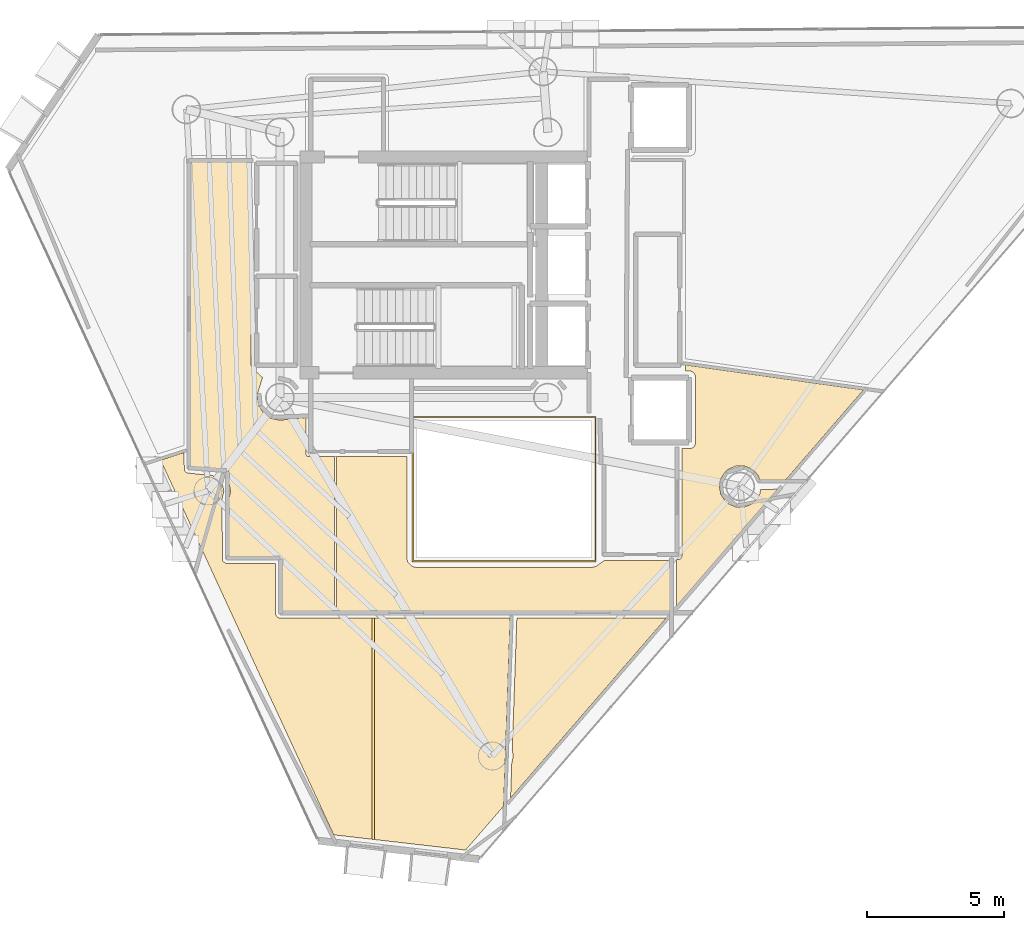
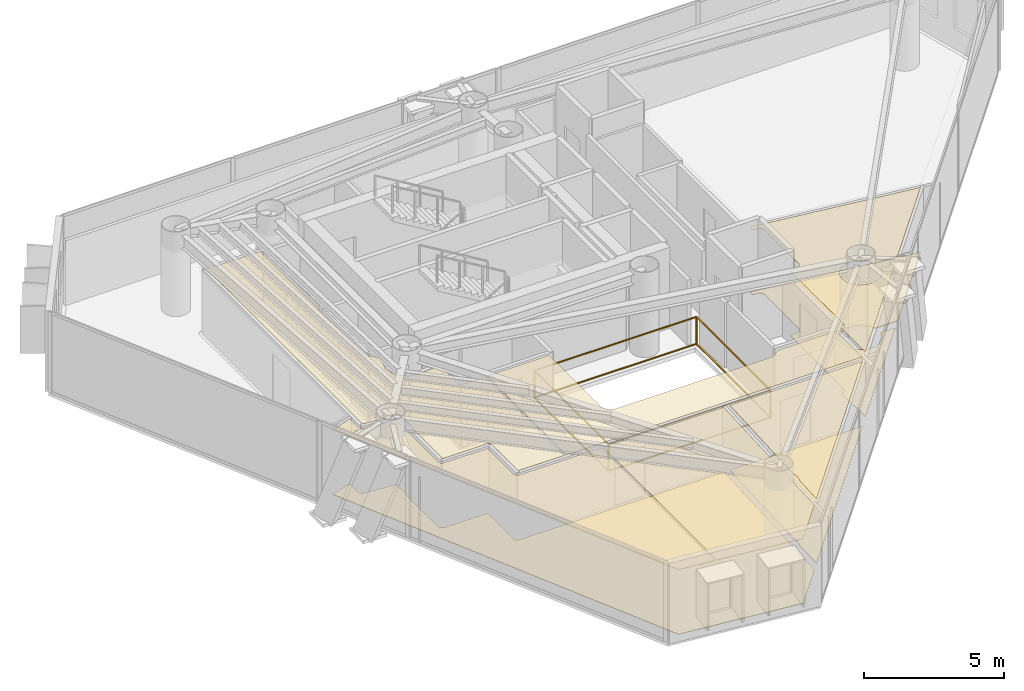
# One storey, part 18 of 21: 9 coverings, 1 railing.
"""IFC4 building model written with IfcOpenShell, lengths in metres."""

import ifcopenshell
import ifcopenshell.guid

model = None  # the IFC model being written
_history = None  # IfcOwnerHistory: only IFC2X3 demands one
_inside = {}  # id of a spatial element -> (the spatial element, [elements in it])
_under = {}  # id of a project, library or spatial element -> (it, [spatial elements below it])
_declared = {}  # id of a project -> (the project, [libraries it declares])
_typed = {}  # id of a type object -> (the type object, [elements of that type])
_made_of = {}  # id of a material, layer set ... -> (it, [elements and type objects made of it])


def new_model(schema):
    """Start an empty IFC model of exactly this schema.

    Asked for "IFC4X3", IfcOpenShell would pick the latest addendum, in which some entities
    have other attributes; the version numbers below select the first issue.
    IFC2X3 requires an IfcOwnerHistory on every rooted entity: one is made here for all.
    """
    global model, _history
    if schema == "IFC4X3":
        model = ifcopenshell.file(schema_version=(4, 3, 0, 0))
    else:
        model = ifcopenshell.file(schema=schema)
    _inside.clear()
    _under.clear()
    _declared.clear()
    _typed.clear()
    _made_of.clear()
    _history = None
    if model.schema == "IFC2X3":
        org = make("IfcOrganization", Name="unknown")
        user = make(
            "IfcPersonAndOrganization",
            ThePerson=make("IfcPerson", FamilyName="unknown"),
            TheOrganization=org,
        )
        app = make(
            "IfcApplication",
            ApplicationDeveloper=org,
            Version="unknown",
            ApplicationFullName="unknown",
            ApplicationIdentifier="unknown",
        )
        _history = make(
            "IfcOwnerHistory",
            OwningUser=user,
            OwningApplication=app,
            ChangeAction="ADDED",
            CreationDate=0,
        )
    return model


def make(cls, **values):
    """One entity of the class cls with the attributes given. An attribute that is None is left unset."""
    return model.create_entity(
        cls, **{name: value for name, value in values.items() if value is not None}
    )


def rooted(cls, **values):
    """An entity with a GlobalId (a new one), such as an element, a storey or a relation."""
    return make(cls, GlobalId=ifcopenshell.guid.new(), OwnerHistory=_history, **values)


def si_unit(unit_type, name, prefix=None):
    """IfcSIUnit, for example si_unit("LENGTHUNIT", "METRE", prefix="MILLI")."""
    return make("IfcSIUnit", UnitType=unit_type, Prefix=prefix, Name=name)


def assignment(units):
    """IfcUnitAssignment: the units of a project."""
    return None if units is None else make("IfcUnitAssignment", Units=units)


def point(xyz):
    """IfcCartesianPoint."""
    return None if xyz is None else make("IfcCartesianPoint", Coordinates=xyz)


def direction(xyz):
    """IfcDirection."""
    return None if xyz is None else make("IfcDirection", DirectionRatios=xyz)


def frame(location, z_axis=None, x_axis=None):
    """IfcAxis2Placement3D, a coordinate frame: its origin and axes. An axis left out is left unset."""
    return make(
        "IfcAxis2Placement3D",
        Location=point(location),
        Axis=direction(z_axis),
        RefDirection=direction(x_axis),
    )


def frame_2d(location, x_axis=None):
    """IfcAxis2Placement2D, a coordinate frame in the plane: its origin and x axis."""
    return make(
        "IfcAxis2Placement2D", Location=point(location), RefDirection=direction(x_axis)
    )


def origin():
    """The frame at (0, 0, 0) with its axes left unset."""
    return frame((0.0, 0.0, 0.0))


def origin_2d():
    """The frame at (0, 0) in the plane with its x axis left unset."""
    return frame_2d((0.0, 0.0))


def place(relative_to, where):
    """IfcLocalPlacement: puts the frame where relative to a parent placement (None: the world)."""
    return make(
        "IfcLocalPlacement", PlacementRelTo=relative_to, RelativePlacement=where
    )


def context(
    kind, dimensions, precision=None, world=None, true_north=None, identifier=None
):
    """IfcGeometricRepresentationContext, for example the 3D "Model" context."""
    return make(
        "IfcGeometricRepresentationContext",
        ContextIdentifier=identifier,
        ContextType=kind,
        CoordinateSpaceDimension=dimensions,
        Precision=precision,
        WorldCoordinateSystem=world,
        TrueNorth=true_north,
    )


def subcontext(parent, identifier, kind, view, scale=None):
    """IfcGeometricRepresentationSubContext, for example "Body" below "Model"."""
    return make(
        "IfcGeometricRepresentationSubContext",
        ContextIdentifier=identifier,
        ContextType=kind,
        ParentContext=parent,
        TargetScale=scale,
        TargetView=view,
    )


def project(units=None, contexts=None):
    """IfcProject with its units and contexts."""
    return rooted(
        "IfcProject",
        Name="project",
        RepresentationContexts=contexts,
        UnitsInContext=assignment(units),
    )


def spatial(cls, under=None, at=None, **own):
    """A site, building, storey or space (cls), placed at a placement, below another one or the project."""
    s = rooted(cls, ObjectPlacement=at, **own)
    if under is not None:
        _under.setdefault(under.id(), (under, []))[1].append(s)
    return s


def polyline(points):
    """IfcPolyline through the points."""
    return make("IfcPolyline", Points=[point(p) for p in points])


def profile(cls, at=None, kind="AREA", **sizes):
    """A parametric profile (cls). Its sizes go by their IFC names, for example OverallWidth=200.0."""
    return make(cls, ProfileType=kind, Position=at, **sizes)


def rectangle(**sizes):
    """IfcRectangleProfileDef."""
    return profile("IfcRectangleProfileDef", **sizes)


def outline(outer, holes=None, kind="AREA"):
    """IfcArbitraryClosedProfileDef: a profile drawn as a closed curve; with holes, ...WithVoids."""
    if holes is None:
        return make("IfcArbitraryClosedProfileDef", ProfileType=kind, OuterCurve=outer)
    return make(
        "IfcArbitraryProfileDefWithVoids",
        ProfileType=kind,
        OuterCurve=outer,
        InnerCurves=holes,
    )


def extrude(swept, where, along, depth):
    """IfcExtrudedAreaSolid: the profile swept, set in the frame where, extruded along a direction by depth."""
    return make(
        "IfcExtrudedAreaSolid",
        SweptArea=swept,
        Position=where,
        ExtrudedDirection=direction(along),
        Depth=depth,
    )


def shape(context_of_items, identifier, shape_type, items):
    """IfcShapeRepresentation: the items that make up one representation, for example the "Body"."""
    return make(
        "IfcShapeRepresentation",
        ContextOfItems=context_of_items,
        RepresentationIdentifier=identifier,
        RepresentationType=shape_type,
        Items=items,
    )


def material(Name=None, Category=None):
    """IfcMaterial."""
    return make("IfcMaterial", Name=Name, Category=Category)


def layer(
    of_material, thickness, ventilated=None, Name=None, Category=None, Priority=None
):
    """IfcMaterialLayer: one layer of a wall or slab, of a material (None: an air gap)."""
    return make(
        "IfcMaterialLayer",
        Material=of_material,
        LayerThickness=thickness,
        IsVentilated=ventilated,
        Name=Name,
        Category=Category,
        Priority=Priority,
    )


def layer_set(layers, Name=None):
    """IfcMaterialLayerSet."""
    return make("IfcMaterialLayerSet", MaterialLayers=layers, LayerSetName=Name)


def made_of(thing, what):
    """Note that an element or type object is made of a material, layer set ...; save() writes the relation."""
    if what is not None:
        _made_of.setdefault(what.id(), (what, []))[1].append(thing)
    return thing


def type_object(cls, material=None, **own):
    """A type object (cls), such as IfcWallType, which elements share."""
    return made_of(rooted(cls, **own), material)


def element(
    cls,
    number,
    at=None,
    inside=None,
    cuts=None,
    type_object=None,
    material=None,
    context=None,
    identifier="Body",
    shape_type=None,
    held_by="IfcProductDefinitionShape",
    body=None,
    shapes=None,
    **own,
):
    """One element of the class cls, such as IfcWall. Its Tag is "e" and its number.

    at: its placement. inside: the storey or other place that contains it. cuts: it is an
    opening in that element (IfcRelVoidsElement). A single representation is given by context,
    identifier, shape_type and body (its items); several are given by shapes. held_by: the class
    of the entity that holds the representations. save() writes the other relations.
    """
    e = rooted(cls, Tag="e%d" % number, ObjectPlacement=at, **own)
    if body is not None:
        shapes = [shape(context, identifier, shape_type, body)]
    if shapes is not None:
        e.Representation = make(held_by, Representations=shapes)
    if inside is not None:
        _inside.setdefault(inside.id(), (inside, []))[1].append(e)
    if cuts is not None:
        rooted(
            "IfcRelVoidsElement", RelatingBuildingElement=cuts, RelatedOpeningElement=e
        )
    if type_object is not None:
        _typed.setdefault(type_object.id(), (type_object, []))[1].append(e)
    return made_of(e, material)


def aggregate(whole, parts):
    """IfcRelAggregates: a whole, such as a stair, and the parts it consists of."""
    return rooted("IfcRelAggregates", RelatingObject=whole, RelatedObjects=parts)


def save(model, path):
    """Write the relations noted so far, then the file.

    IfcRelAggregates (storeys below a building ...), IfcRelContainedInSpatialStructure (elements
    in a storey), IfcRelDefinesByType, IfcRelAssociatesMaterial and IfcRelDeclares: one each for
    every whole, place, type object, material and project.
    """
    for whole, parts in _under.values():
        aggregate(whole, parts)
    for where, things in _inside.values():
        rooted(
            "IfcRelContainedInSpatialStructure",
            RelatedElements=things,
            RelatingStructure=where,
        )
    for kind, things in _typed.values():
        rooted("IfcRelDefinesByType", RelatedObjects=things, RelatingType=kind)
    for what, things in _made_of.values():
        rooted("IfcRelAssociatesMaterial", RelatedObjects=things, RelatingMaterial=what)
    for by, libraries in _declared.values():
        rooted("IfcRelDeclares", RelatingContext=by, RelatedDefinitions=libraries)
    model.write(path)


model = new_model("IFC4")

# Units and contexts
model_context = context("Model", 3, precision=1e-05, world=origin(), true_north=direction((0.0, 1.0)))
body_context = subcontext(model_context, "Body", "Model", "MODEL_VIEW")
ifc_project = project(units=[si_unit("LENGTHUNIT", "METRE"), si_unit("AREAUNIT", "SQUARE_METRE"), si_unit("VOLUMEUNIT", "CUBIC_METRE"), si_unit("PLANEANGLEUNIT", "RADIAN"), si_unit("MASSUNIT", "GRAM", prefix="KILO")], contexts=[model_context])

# Site, building, storey
site_placement = place(None, origin())
site = spatial("IfcSite", under=ifc_project, at=site_placement, CompositionType="ELEMENT")
building_placement = place(site_placement, origin())
building = spatial("IfcBuilding", under=site, at=building_placement, Name="Qianvela Tower", CompositionType="ELEMENT")
storey_placement = place(building_placement, frame((0.0, 0.0, 253.800048828125)))
storey = spatial("IfcBuildingStorey", under=building, at=storey_placement, Name="L65", CompositionType="ELEMENT", Elevation=253.800048828125)

# Coverings
ifc_material_1 = material(Name="Perforated Mineral Acoustic Ceiling Tile")
ifc_layer_1 = layer(ifc_material_1, 0.02490234375)
ifc_layer_set_1 = layer_set([ifc_layer_1], Name="Perforated Mineral Acoustic Ceiling Tile")
covering_type_1 = type_object("IfcCoveringType", Name="COV-CEIL-ACOUSTIC-25", PredefinedType="CEILING", material=ifc_layer_set_1)
covering_1_placement = place(storey_placement, frame((0.0, 0.0, 2.81494140625)))
element("IfcCovering", 1, at=covering_1_placement, inside=storey, type_object=covering_type_1, Name="L65 Acoustic Ceiling Bay 1 L65 Floor Corridor", PredefinedType="CEILING", context=body_context, shape_type="SweptSolid", body=[
    extrude(outline(polyline([(27.791015625, 24.010986328125), (27.789794921875, 24.003173828125), (27.775390625, 23.85791015625), (27.77490234375, 23.85009765625), (27.775390625, 23.84228515625), (27.776611328125, 23.83447265625), (27.833251953125, 23.54931640625), (27.835205078125, 23.541748046875), (27.837890625, 23.5341796875), (27.84130859375, 23.527099609375), (27.84521484375, 23.5205078125), (28.006591796875, 23.27880859375), (28.011474609375, 23.2724609375), (28.0166015625, 23.2666015625), (28.0224609375, 23.261474609375), (28.02880859375, 23.256591796875), (28.2705078125, 23.09521484375), (28.277099609375, 23.09130859375), (28.2841796875, 23.087890625), (28.291748046875, 23.085205078125), (28.29931640625, 23.083251953125), (28.58447265625, 23.026611328125), (28.59228515625, 23.025390625), (28.60009765625, 23.02490234375), (28.60791015625, 23.025390625), (29.55810546875, 23.118896484375), (29.55810546875, 21.780029296875), (29.558349609375, 21.772216796875), (29.5595703125, 21.764404296875), (29.561279296875, 21.7568359375), (29.564208984375, 21.74951171875), (29.5673828125, 21.7421875), (29.571533203125, 21.735595703125), (29.576171875, 21.729248046875), (29.581298828125, 21.723388671875), (29.587158203125, 21.71826171875), (29.593505859375, 21.71337890625), (29.600341796875, 21.70947265625), (29.607421875, 21.7060546875), (29.61474609375, 21.703369140625), (29.622314453125, 21.701416015625), (29.630126953125, 21.700439453125), (29.637939453125, 21.699951171875), (30.5888671875, 21.699951171875), (30.5888671875, 16.030029296875), (28.679931640625, 16.030029296875), (28.679931640625, 17.949951171875), (28.6796875, 17.957763671875), (28.678466796875, 17.965576171875), (28.676513671875, 17.97314453125), (28.673828125, 17.980712890625), (28.670654296875, 17.98779296875), (28.66650390625, 17.994384765625), (28.661865234375, 18.000732421875), (28.656494140625, 18.006591796875), (28.65087890625, 18.01171875), (28.644287109375, 18.0166015625), (28.6376953125, 18.0205078125), (28.630615234375, 18.02392578125), (28.623291015625, 18.026611328125), (28.615478515625, 18.028564453125), (28.60791015625, 18.029541015625), (28.60009765625, 18.030029296875), (26.72998046875, 18.030029296875), (26.72998046875, 20.123779296875), (26.795166015625, 20.419921875), (26.79638671875, 20.42822265625), (26.797119140625, 20.43701171875), (26.79638671875, 20.44580078125), (26.795166015625, 20.4541015625), (26.72998046875, 20.75), (26.72998046875, 21.14990234375), (26.7294921875, 21.15771484375), (26.728515625, 21.16552734375), (26.7265625, 21.173095703125), (26.723876953125, 21.1806640625), (26.720703125, 21.187744140625), (26.716552734375, 21.1943359375), (26.7119140625, 21.20068359375), (26.70654296875, 21.20654296875), (26.70068359375, 21.2119140625), (26.6943359375, 21.216552734375), (26.687744140625, 21.220703125), (26.6806640625, 21.223876953125), (26.673095703125, 21.2265625), (26.66552734375, 21.228515625), (26.65771484375, 21.2294921875), (26.64990234375, 21.22998046875), (26.18017578125, 21.22998046875), (25.330078125, 21.32470703125), (25.330078125, 32.469970703125), (27.5400390625, 32.469970703125), (27.5400390625, 25.066650390625), (27.540283203125, 25.05908203125), (27.54150390625, 25.051513671875), (27.543212890625, 25.044189453125), (27.545654296875, 25.037109375), (27.548583984375, 25.0302734375), (27.604736328125, 24.919921875), (27.6083984375, 24.91357421875), (27.612548828125, 24.90771484375), (27.6171875, 24.902099609375), (27.622314453125, 24.89697265625), (27.965087890625, 24.58642578125), (27.792724609375, 24.0185546875), (27.791015625, 24.010986328125)])), origin(), (0.0, 0.0, 1.0), 0.02490234375),
])
covering_2_placement = place(storey_placement, frame((0.0, 0.0, 2.81494140625)))
element("IfcCovering", 2, at=covering_2_placement, inside=storey, type_object=covering_type_1, Name="L65 Acoustic Ceiling Bay 2 L65 Floor Corridor", PredefinedType="CEILING", context=body_context, shape_type="SweptSolid", body=[
    extrude(outline(polyline([(33.239990234375, 21.699951171875), (33.239990234375, 18.0), (33.240478515625, 17.990234375), (33.242431640625, 17.980712890625), (33.275390625, 17.8486328125), (33.277587890625, 17.841796875), (33.2802734375, 17.8349609375), (33.283447265625, 17.82861328125), (33.287353515625, 17.822509765625), (33.29150390625, 17.81689453125), (33.29638671875, 17.811279296875), (33.411376953125, 17.696533203125), (33.41796875, 17.690673828125), (33.4248046875, 17.685791015625), (33.432373046875, 17.681396484375), (33.440185546875, 17.677978515625), (33.448486328125, 17.675537109375), (33.58056640625, 17.642333984375), (33.5869140625, 17.64111328125), (33.593505859375, 17.640380859375), (33.60009765625, 17.639892578125), (40.0, 17.639892578125), (40.006591796875, 17.640380859375), (40.012939453125, 17.64111328125), (40.019287109375, 17.642333984375), (40.1513671875, 17.675537109375), (40.15869140625, 17.677734375), (40.166015625, 17.6806640625), (40.172607421875, 17.68408203125), (40.17919921875, 17.6884765625), (40.459228515625, 17.89306640625), (42.8701171875, 17.89990234375), (42.8701171875, 16.030029296875), (30.6689453125, 16.030029296875), (30.6689453125, 21.699951171875), (33.239990234375, 21.699951171875)])), origin(), (0.0, 0.0, 1.0), 0.02490234375),
])
covering_3_placement = place(storey_placement, frame((0.0, 0.0, 2.81494140625)))
element("IfcCovering", 3, at=covering_3_placement, inside=storey, type_object=covering_type_1, Name="L65 Acoustic Ceiling Bay 1 Campus Convenience Shop L65-01", PredefinedType="CEILING", context=body_context, shape_type="SweptSolid", body=[
    extrude(outline(polyline([(25.1083984375, 21.193115234375), (25.109619140625, 21.185791015625), (25.11181640625, 21.178466796875), (25.1142578125, 21.171142578125), (25.11767578125, 21.164306640625), (25.12158203125, 21.157958984375), (25.126220703125, 21.15185546875), (25.13134765625, 21.146240234375), (25.136962890625, 21.14111328125), (25.14306640625, 21.136474609375), (25.1494140625, 21.132568359375), (25.202880859375, 21.103515625), (25.209716796875, 21.10009765625), (25.217041015625, 21.097412109375), (25.224609375, 21.09521484375), (25.232421875, 21.093994140625), (26.157958984375, 20.990966796875), (26.166748046875, 20.990478515625), (26.489990234375, 20.989990234375), (26.490478515625, 20.732666015625), (26.490966796875, 20.72412109375), (26.4921875, 20.715576171875), (26.55322265625, 20.436767578125), (26.49169921875, 20.1494140625), (26.490478515625, 20.14111328125), (26.489990234375, 20.13232421875), (26.49609375, 17.919189453125), (26.49658203125, 17.911376953125), (26.497802734375, 17.903564453125), (26.49951171875, 17.89599609375), (26.502197265625, 17.888671875), (26.505615234375, 17.881591796875), (26.509521484375, 17.875), (26.514404296875, 17.86865234375), (26.51953125, 17.86279296875), (26.525390625, 17.857421875), (26.531494140625, 17.852783203125), (26.605712890625, 17.803466796875), (26.6123046875, 17.79931640625), (26.619384765625, 17.796142578125), (26.626708984375, 17.79345703125), (26.634521484375, 17.79150390625), (26.64208984375, 17.790283203125), (26.64990234375, 17.7900390625), (28.43994140625, 17.7900390625), (28.43994140625, 15.949951171875), (28.4404296875, 15.942138671875), (28.44140625, 15.934326171875), (28.443359375, 15.9267578125), (28.446044921875, 15.91943359375), (28.449462890625, 15.912353515625), (28.45361328125, 15.905517578125), (28.5029296875, 15.83154296875), (28.507568359375, 15.8251953125), (28.5126953125, 15.819580078125), (28.5185546875, 15.814208984375), (28.52490234375, 15.8095703125), (28.531494140625, 15.805419921875), (28.538818359375, 15.80224609375), (28.546142578125, 15.799560546875), (28.5537109375, 15.797607421875), (28.5615234375, 15.79638671875), (28.5693359375, 15.796142578125), (31.97509765625, 15.793701171875), (31.97509765625, 7.697998046875), (30.569091796875, 7.860107421875), (24.23779296875, 21.5625), (25.092529296875, 21.84033203125), (25.10791015625, 21.20068359375), (25.1083984375, 21.193115234375)])), origin(), (0.0, 0.0, 1.0), 0.02490234375),
])
covering_4_placement = place(storey_placement, frame((0.0, 0.0, 2.81494140625)))
element("IfcCovering", 4, at=covering_4_placement, inside=storey, type_object=covering_type_1, Name="L65 Acoustic Ceiling Bay 2 Campus Convenience Shop L65-01", PredefinedType="CEILING", context=body_context, shape_type="SweptSolid", body=[
    extrude(outline(polyline([(37.021484375, 15.7900390625), (36.781005859375, 8.909912109375), (35.39208984375, 7.30322265625), (32.054931640625, 7.688720703125), (32.054931640625, 15.793701171875), (37.021484375, 15.7900390625)])), origin(), (0.0, 0.0, 1.0), 0.02490234375),
])
covering_5_placement = place(storey_placement, frame((0.0, 0.0, 2.81494140625)))
element("IfcCovering", 5, at=covering_5_placement, inside=storey, type_object=covering_type_1, Name="L65 Acoustic Ceiling Student Bookshop Market L65-02", PredefinedType="CEILING", context=body_context, shape_type="SweptSolid", body=[
    extrude(outline(polyline([(37.07958984375, 10.466796875), (37.13232421875, 10.72607421875), (37.133544921875, 10.7333984375), (37.134033203125, 10.740966796875), (37.1337890625, 10.748291015625), (37.1328125, 10.755859375), (37.096923828125, 10.9609375), (37.265380859375, 15.7900390625), (42.729736328125, 15.7900390625), (37.035400390625, 9.2041015625), (37.07958984375, 10.466796875)])), origin(), (0.0, 0.0, 1.0), 0.02490234375),
])
covering_6_placement = place(storey_placement, frame((0.0, 0.0, 2.81494140625)))
element("IfcCovering", 6, at=covering_6_placement, inside=storey, type_object=covering_type_1, Name="L65 Acoustic Ceiling Stationery Supply Boutique L65-03", PredefinedType="CEILING", context=body_context, shape_type="SweptSolid", body=[
    extrude(outline(polyline([(43.298583984375, 18.038818359375), (43.302001953125, 18.045166015625), (43.304931640625, 18.0517578125), (43.30712890625, 18.05859375), (43.30859375, 18.065673828125), (43.309814453125, 18.07275390625), (43.31005859375, 18.080078125), (43.309326171875, 21.981201171875), (43.621826171875, 21.986083984375), (43.62939453125, 21.986572265625), (43.63720703125, 21.98779296875), (43.64453125, 21.98974609375), (43.651611328125, 21.9921875), (43.658447265625, 21.99560546875), (43.6650390625, 21.99951171875), (43.732666015625, 22.044677734375), (43.739013671875, 22.04931640625), (43.744873046875, 22.0546875), (43.75, 22.060302734375), (43.754638671875, 22.066650390625), (43.7587890625, 22.073486328125), (43.76220703125, 22.08056640625), (43.793212890625, 22.15576171875), (43.7958984375, 22.1630859375), (43.7978515625, 22.170654296875), (43.798828125, 22.178466796875), (43.79931640625, 22.186279296875), (43.79736328125, 24.62744140625), (43.796875, 24.635986328125), (43.79541015625, 24.64453125), (43.793212890625, 24.65283203125), (43.7900390625, 24.660888671875), (43.785888671875, 24.66845703125), (43.7373046875, 24.749267578125), (43.732666015625, 24.75634765625), (43.727294921875, 24.762939453125), (43.72119140625, 24.768798828125), (43.71435546875, 24.77392578125), (43.70703125, 24.778564453125), (43.699462890625, 24.781982421875), (43.624267578125, 24.813232421875), (43.616943359375, 24.81591796875), (43.609375, 24.81787109375), (43.6015625, 24.81884765625), (43.59375, 24.8193359375), (43.423828125, 24.8193359375), (43.423828125, 24.8193359375), (43.426513671875, 24.826904296875), (43.428466796875, 24.83447265625), (43.4296875, 24.84228515625), (43.429931640625, 24.85009765625), (43.429931640625, 25.04345703125), (49.939453125, 24.128662109375), (47.09521484375, 20.839111328125), (46.153076171875, 20.836669921875), (46.0791015625, 21.010009765625), (46.07568359375, 21.016845703125), (46.072021484375, 21.023193359375), (46.0673828125, 21.029296875), (45.982177734375, 21.133056640625), (45.976806640625, 21.138916015625), (45.97119140625, 21.144287109375), (45.8671875, 21.2294921875), (45.861083984375, 21.234130859375), (45.854248046875, 21.238037109375), (45.84716796875, 21.241455078125), (45.600341796875, 21.34375), (45.593017578125, 21.346435546875), (45.585205078125, 21.348388671875), (45.577392578125, 21.349609375), (45.569580078125, 21.349853515625), (45.302490234375, 21.349853515625), (45.29443359375, 21.349609375), (45.286865234375, 21.348388671875), (45.279052734375, 21.346435546875), (45.271728515625, 21.34375), (45.02490234375, 21.241455078125), (45.017578125, 21.238037109375), (45.010986328125, 21.234130859375), (45.004638671875, 21.2294921875), (44.90087890625, 21.144287109375), (44.89501953125, 21.138916015625), (44.889892578125, 21.133056640625), (44.885009765625, 21.126708984375), (44.736572265625, 20.904541015625), (44.732666015625, 20.897705078125), (44.729248046875, 20.890869140625), (44.7265625, 20.88330078125), (44.6875, 20.7548828125), (44.685791015625, 20.747314453125), (44.6845703125, 20.739501953125), (44.67138671875, 20.605712890625), (44.6708984375, 20.597900390625), (44.67138671875, 20.590087890625), (44.672607421875, 20.58251953125), (44.724609375, 20.3203125), (44.7265625, 20.3125), (44.729248046875, 20.30517578125), (44.732666015625, 20.298095703125), (44.736572265625, 20.29150390625), (44.885009765625, 20.069091796875), (44.889892578125, 20.06298828125), (44.89501953125, 20.05712890625), (44.90087890625, 20.0517578125), (45.004638671875, 19.966552734375), (45.010986328125, 19.9619140625), (45.017578125, 19.9580078125), (45.02490234375, 19.95458984375), (45.271728515625, 19.852294921875), (45.279052734375, 19.849609375), (45.286865234375, 19.84765625), (45.29443359375, 19.846435546875), (45.302490234375, 19.84619140625), (45.569580078125, 19.84619140625), (45.577392578125, 19.846435546875), (45.585205078125, 19.84765625), (45.593017578125, 19.849609375), (45.600341796875, 19.852294921875), (45.84716796875, 19.95458984375), (45.854248046875, 19.9580078125), (45.861083984375, 19.9619140625), (45.8671875, 19.966552734375), (45.873046875, 19.971923828125), (46.06201171875, 20.160888671875), (46.0673828125, 20.166748046875), (46.072021484375, 20.173095703125), (46.076171875, 20.1796875), (46.139404296875, 20.298095703125), (46.142578125, 20.304931640625), (46.145263671875, 20.312255859375), (46.147216796875, 20.319580078125), (46.18408203125, 20.49658203125), (46.800537109375, 20.498291015625), (43.109619140625, 16.2294921875), (43.107421875, 17.924560546875), (43.1923828125, 17.9296875), (43.2001953125, 17.930419921875), (43.207763671875, 17.931884765625), (43.215087890625, 17.934326171875), (43.222412109375, 17.937255859375), (43.229248046875, 17.94091796875), (43.235595703125, 17.9453125), (43.24169921875, 17.9501953125), (43.2470703125, 17.955810546875), (43.251953125, 17.9619140625), (43.25634765625, 17.96826171875), (43.298583984375, 18.038818359375)])), origin(), (0.0, 0.0, 1.0), 0.02490234375),
])
ifc_material_2 = material(Name="Engineered Acoustic Oak Timber Flooring", Category="wood")
ifc_layer_2 = layer(ifc_material_2, 0.02001953125)
ifc_layer_set_2 = layer_set([ifc_layer_2], Name="Engineered Acoustic Oak Timber Flooring")
covering_type_2 = type_object("IfcCoveringType", Name="COV-FLOOR-OAK-20", PredefinedType="FLOORING", material=ifc_layer_set_2)
covering_7_placement = place(storey_placement, origin())
element("IfcCovering", 7, at=covering_7_placement, inside=storey, type_object=covering_type_2, Name="L65 Finish Flooring Campus Convenience Shop L65-01", PredefinedType="FLOORING", context=body_context, shape_type="SweptSolid", body=[
    extrude(outline(polyline([(25.10791015625, 21.20068359375), (25.1083984375, 21.193115234375), (25.109619140625, 21.185791015625), (25.11181640625, 21.178466796875), (25.1142578125, 21.171142578125), (25.11767578125, 21.164306640625), (25.12158203125, 21.157958984375), (25.126220703125, 21.15185546875), (25.13134765625, 21.146240234375), (25.136962890625, 21.14111328125), (25.14306640625, 21.136474609375), (25.1494140625, 21.132568359375), (25.202880859375, 21.103515625), (25.209716796875, 21.10009765625), (25.217041015625, 21.097412109375), (25.224609375, 21.09521484375), (25.232421875, 21.093994140625), (26.157958984375, 20.990966796875), (26.166748046875, 20.990478515625), (26.489990234375, 20.989990234375), (26.490478515625, 20.732666015625), (26.490966796875, 20.72412109375), (26.4921875, 20.715576171875), (26.55322265625, 20.436767578125), (26.49169921875, 20.1494140625), (26.490478515625, 20.14111328125), (26.489990234375, 20.13232421875), (26.49609375, 17.919189453125), (26.49658203125, 17.911376953125), (26.497802734375, 17.903564453125), (26.49951171875, 17.89599609375), (26.502197265625, 17.888671875), (26.505615234375, 17.881591796875), (26.509521484375, 17.875), (26.514404296875, 17.86865234375), (26.51953125, 17.86279296875), (26.525390625, 17.857421875), (26.531494140625, 17.852783203125), (26.605712890625, 17.803466796875), (26.6123046875, 17.79931640625), (26.619384765625, 17.796142578125), (26.626708984375, 17.79345703125), (26.634521484375, 17.79150390625), (26.64208984375, 17.790283203125), (26.64990234375, 17.7900390625), (28.43994140625, 17.7900390625), (28.43994140625, 15.949951171875), (28.4404296875, 15.942138671875), (28.44140625, 15.934326171875), (28.443359375, 15.9267578125), (28.446044921875, 15.91943359375), (28.449462890625, 15.912353515625), (28.45361328125, 15.905517578125), (28.5029296875, 15.83154296875), (28.507568359375, 15.8251953125), (28.5126953125, 15.819580078125), (28.5185546875, 15.814208984375), (28.52490234375, 15.8095703125), (28.531494140625, 15.805419921875), (28.538818359375, 15.80224609375), (28.546142578125, 15.799560546875), (28.5537109375, 15.797607421875), (28.5615234375, 15.79638671875), (28.5693359375, 15.796142578125), (37.021484375, 15.7900390625), (36.781005859375, 8.909912109375), (35.39208984375, 7.30322265625), (30.569091796875, 7.860107421875), (24.23779296875, 21.5625), (25.092529296875, 21.84033203125), (25.10791015625, 21.20068359375)])), origin(), (0.0, 0.0, 1.0), 0.02001953125),
])
covering_8_placement = place(storey_placement, origin())
element("IfcCovering", 8, at=covering_8_placement, inside=storey, type_object=covering_type_2, Name="L65 Finish Flooring Student Bookshop Market L65-02", PredefinedType="FLOORING", context=body_context, shape_type="SweptSolid", body=[
    extrude(outline(polyline([(37.07958984375, 10.466796875), (37.13232421875, 10.72607421875), (37.133544921875, 10.7333984375), (37.134033203125, 10.740966796875), (37.1337890625, 10.748291015625), (37.1328125, 10.755859375), (37.096923828125, 10.9609375), (37.265380859375, 15.7900390625), (42.729736328125, 15.7900390625), (37.035400390625, 9.2041015625), (37.07958984375, 10.466796875)])), origin(), (0.0, 0.0, 1.0), 0.02001953125),
])
covering_9_placement = place(storey_placement, origin())
element("IfcCovering", 9, at=covering_9_placement, inside=storey, type_object=covering_type_2, Name="L65 Finish Flooring Stationery Supply Boutique L65-03", PredefinedType="FLOORING", context=body_context, shape_type="SweptSolid", body=[
    extrude(outline(polyline([(43.298583984375, 18.038818359375), (43.302001953125, 18.045166015625), (43.304931640625, 18.0517578125), (43.30712890625, 18.05859375), (43.30859375, 18.065673828125), (43.309814453125, 18.07275390625), (43.31005859375, 18.080078125), (43.309326171875, 21.981201171875), (43.621826171875, 21.986083984375), (43.62939453125, 21.986572265625), (43.63720703125, 21.98779296875), (43.64453125, 21.98974609375), (43.651611328125, 21.9921875), (43.658447265625, 21.99560546875), (43.6650390625, 21.99951171875), (43.732666015625, 22.044677734375), (43.739013671875, 22.04931640625), (43.744873046875, 22.0546875), (43.75, 22.060302734375), (43.754638671875, 22.066650390625), (43.7587890625, 22.073486328125), (43.76220703125, 22.08056640625), (43.793212890625, 22.15576171875), (43.7958984375, 22.1630859375), (43.7978515625, 22.170654296875), (43.798828125, 22.178466796875), (43.79931640625, 22.186279296875), (43.79736328125, 24.62744140625), (43.796875, 24.635986328125), (43.79541015625, 24.64453125), (43.793212890625, 24.65283203125), (43.7900390625, 24.660888671875), (43.785888671875, 24.66845703125), (43.7373046875, 24.749267578125), (43.732666015625, 24.75634765625), (43.727294921875, 24.762939453125), (43.72119140625, 24.768798828125), (43.71435546875, 24.77392578125), (43.70703125, 24.778564453125), (43.699462890625, 24.781982421875), (43.624267578125, 24.813232421875), (43.616943359375, 24.81591796875), (43.609375, 24.81787109375), (43.6015625, 24.81884765625), (43.59375, 24.8193359375), (43.423828125, 24.8193359375), (43.423828125, 24.8193359375), (43.426513671875, 24.826904296875), (43.428466796875, 24.83447265625), (43.4296875, 24.84228515625), (43.429931640625, 24.85009765625), (43.429931640625, 25.04345703125), (49.939453125, 24.128662109375), (47.09521484375, 20.839111328125), (46.153076171875, 20.836669921875), (46.0791015625, 21.010009765625), (46.07568359375, 21.016845703125), (46.072021484375, 21.023193359375), (46.0673828125, 21.029296875), (45.982177734375, 21.133056640625), (45.976806640625, 21.138916015625), (45.97119140625, 21.144287109375), (45.8671875, 21.2294921875), (45.861083984375, 21.234130859375), (45.854248046875, 21.238037109375), (45.84716796875, 21.241455078125), (45.600341796875, 21.34375), (45.593017578125, 21.346435546875), (45.585205078125, 21.348388671875), (45.577392578125, 21.349609375), (45.569580078125, 21.349853515625), (45.302490234375, 21.349853515625), (45.29443359375, 21.349609375), (45.286865234375, 21.348388671875), (45.279052734375, 21.346435546875), (45.271728515625, 21.34375), (45.02490234375, 21.241455078125), (45.017578125, 21.238037109375), (45.010986328125, 21.234130859375), (45.004638671875, 21.2294921875), (44.90087890625, 21.144287109375), (44.89501953125, 21.138916015625), (44.889892578125, 21.133056640625), (44.885009765625, 21.126708984375), (44.736572265625, 20.904541015625), (44.732666015625, 20.897705078125), (44.729248046875, 20.890869140625), (44.7265625, 20.88330078125), (44.6875, 20.7548828125), (44.685791015625, 20.747314453125), (44.6845703125, 20.739501953125), (44.67138671875, 20.605712890625), (44.6708984375, 20.597900390625), (44.67138671875, 20.590087890625), (44.672607421875, 20.58251953125), (44.724609375, 20.3203125), (44.7265625, 20.3125), (44.729248046875, 20.30517578125), (44.732666015625, 20.298095703125), (44.736572265625, 20.29150390625), (44.885009765625, 20.069091796875), (44.889892578125, 20.06298828125), (44.89501953125, 20.05712890625), (44.90087890625, 20.0517578125), (45.004638671875, 19.966552734375), (45.010986328125, 19.9619140625), (45.017578125, 19.9580078125), (45.02490234375, 19.95458984375), (45.271728515625, 19.852294921875), (45.279052734375, 19.849609375), (45.286865234375, 19.84765625), (45.29443359375, 19.846435546875), (45.302490234375, 19.84619140625), (45.569580078125, 19.84619140625), (45.577392578125, 19.846435546875), (45.585205078125, 19.84765625), (45.593017578125, 19.849609375), (45.600341796875, 19.852294921875), (45.84716796875, 19.95458984375), (45.854248046875, 19.9580078125), (45.861083984375, 19.9619140625), (45.8671875, 19.966552734375), (45.873046875, 19.971923828125), (46.06201171875, 20.160888671875), (46.0673828125, 20.166748046875), (46.072021484375, 20.173095703125), (46.076171875, 20.1796875), (46.139404296875, 20.298095703125), (46.142578125, 20.304931640625), (46.145263671875, 20.312255859375), (46.147216796875, 20.319580078125), (46.18408203125, 20.49658203125), (46.800537109375, 20.498291015625), (43.109619140625, 16.2294921875), (43.107421875, 17.924560546875), (43.1923828125, 17.9296875), (43.2001953125, 17.930419921875), (43.207763671875, 17.931884765625), (43.215087890625, 17.934326171875), (43.222412109375, 17.937255859375), (43.229248046875, 17.94091796875), (43.235595703125, 17.9453125), (43.24169921875, 17.9501953125), (43.2470703125, 17.955810546875), (43.251953125, 17.9619140625), (43.25634765625, 17.96826171875), (43.298583984375, 18.038818359375)])), origin(), (0.0, 0.0, 1.0), 0.02001953125),
])

# Railing
ifc_material_3 = material(Name="Laminated Safety Glass and Stainless Steel 316", Category="steel")
railing_type = type_object("IfcRailingType", Name="RL-ATRIUM-GUARD-1250", PredefinedType="GUARDRAIL", material=ifc_material_3)
railing_placement = place(storey_placement, frame((33.4599609375, 17.860107421875, 0.0)))
element("IfcRailing", 10, at=railing_placement, inside=storey, type_object=railing_type, Name="L65 Atrium Edge Guardrail 1", PredefinedType="GUARDRAIL", context=body_context, shape_type="SweptSolid", body=[
    extrude(rectangle(XDim=0.050048828125, YDim=0.0400390625, at=origin_2d()), frame((0.0, 0.0, 1.22998046875), z_axis=(0.0, 1.0, 0.0), x_axis=(-1.0, 0.0, 0.0)), (0.0, 0.0, 1.0), 5.27978515625),
    extrude(rectangle(XDim=0.050048828125, YDim=0.0400390625, at=origin_2d()), frame((0.0, 0.0, 0.050048828125), z_axis=(0.0, 1.0, 0.0), x_axis=(-1.0, 0.0, 0.0)), (0.0, 0.0, 1.0), 5.27978515625),
    extrude(rectangle(XDim=0.050048828125, YDim=0.0400390625, at=origin_2d()), frame((0.0, 5.27978515625, 1.22998046875), z_axis=(1.0, 0.0, 0.0), x_axis=(0.0, 1.0, 0.0)), (0.0, 0.0, 1.0), 6.679931640625),
    extrude(rectangle(XDim=0.050048828125, YDim=0.0400390625, at=origin_2d()), frame((0.0, 5.27978515625, 0.050048828125), z_axis=(1.0, 0.0, 0.0), x_axis=(0.0, 1.0, 0.0)), (0.0, 0.0, 1.0), 6.679931640625),
    extrude(rectangle(XDim=0.050048828125, YDim=0.0400390625, at=origin_2d()), frame((6.679931640625, 5.27978515625, 1.22998046875), z_axis=(0.0, -1.0, 0.0), x_axis=(1.0, 0.0, 0.0)), (0.0, 0.0, 1.0), 5.27978515625),
    extrude(rectangle(XDim=0.050048828125, YDim=0.0400390625, at=origin_2d()), frame((6.679931640625, 5.27978515625, 0.050048828125), z_axis=(0.0, -1.0, 0.0), x_axis=(1.0, 0.0, 0.0)), (0.0, 0.0, 1.0), 5.27978515625),
    extrude(rectangle(XDim=0.050048828125, YDim=0.0400390625, at=origin_2d()), frame((6.679931640625, 0.0, 1.22998046875), z_axis=(-1.0, 0.0, 0.0), x_axis=(0.0, -1.0, 0.0)), (0.0, 0.0, 1.0), 6.679931640625),
    extrude(rectangle(XDim=0.050048828125, YDim=0.0400390625, at=origin_2d()), frame((6.679931640625, 0.0, 0.050048828125), z_axis=(-1.0, 0.0, 0.0), x_axis=(0.0, -1.0, 0.0)), (0.0, 0.0, 1.0), 6.679931640625),
    extrude(rectangle(XDim=0.050048828125, YDim=0.050048828125, at=origin_2d()), origin(), (0.0, 0.0, 1.0), 1.2099609375),
    extrude(rectangle(XDim=0.050048828125, YDim=0.050048828125, at=origin_2d()), frame((0.0, 5.27978515625, 0.0)), (0.0, 0.0, 1.0), 1.2099609375),
    extrude(rectangle(XDim=0.050048828125, YDim=0.050048828125, at=origin_2d()), frame((6.679931640625, 5.27978515625, 0.0)), (0.0, 0.0, 1.0), 1.2099609375),
    extrude(rectangle(XDim=0.050048828125, YDim=0.050048828125, at=origin_2d()), frame((6.679931640625, 0.0, 0.0)), (0.0, 0.0, 1.0), 1.2099609375),
])

save(model, "model.ifc")
